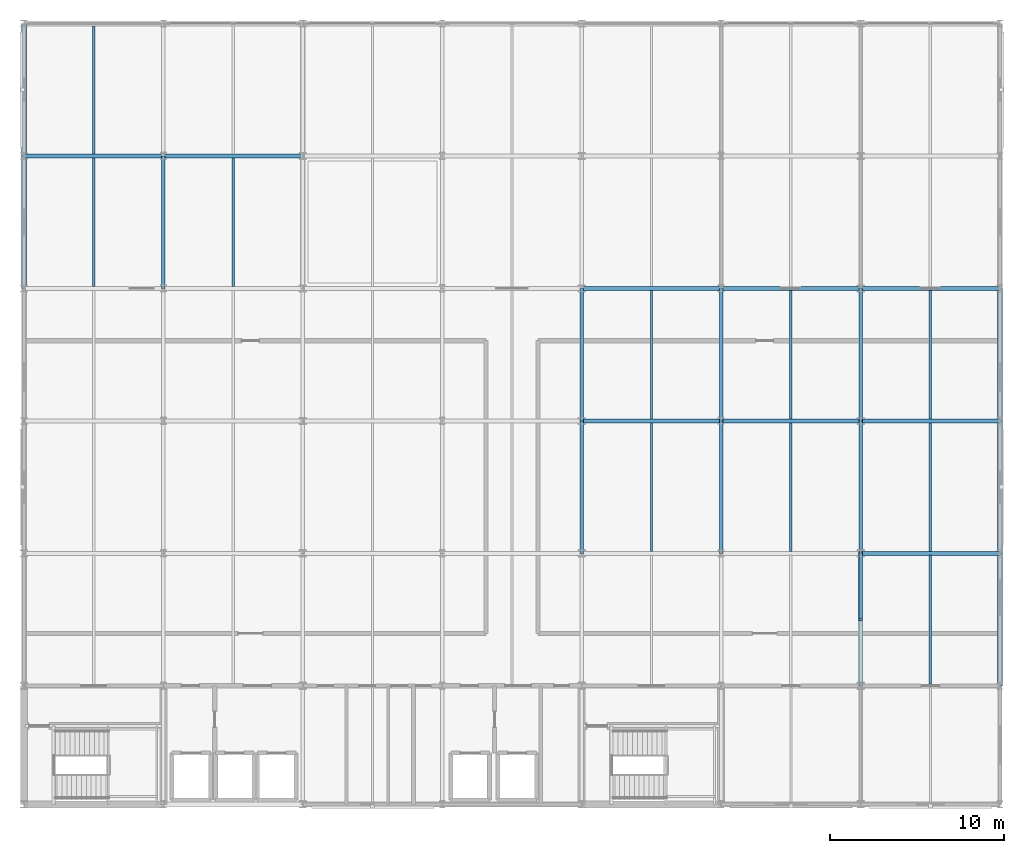
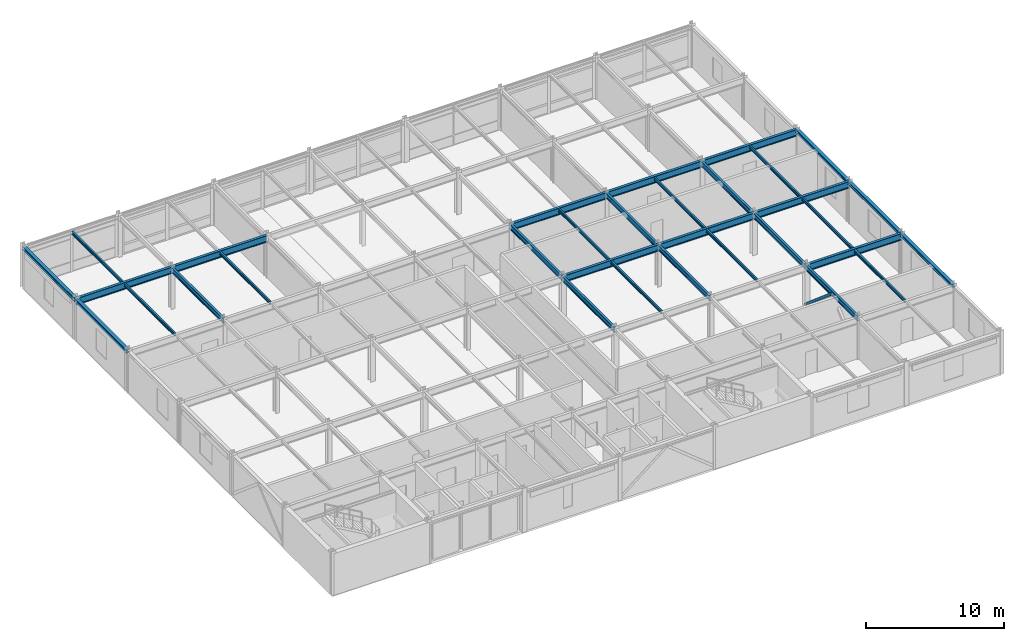
# One storey, part 5 of 14: 32 beams, 1 member.
"""IFC4 building model written with IfcOpenShell, lengths in metres."""

from ifc_helpers import new_model, si_unit, direction, frame, origin, origin_2d, place, context, subcontext, project, spatial, hollow_rectangle, i_section, extrude, material, material_profile, profile_set, type_object, element, save


model = new_model("IFC4")

# Units and contexts
model_context = context("Model", 3, precision=1e-05, world=origin(), true_north=direction((0.0, 1.0)))
body_context = subcontext(model_context, "Body", "Model", "MODEL_VIEW")
ifc_project = project(units=[si_unit("LENGTHUNIT", "METRE"), si_unit("AREAUNIT", "SQUARE_METRE"), si_unit("VOLUMEUNIT", "CUBIC_METRE"), si_unit("PLANEANGLEUNIT", "RADIAN"), si_unit("MASSUNIT", "GRAM", prefix="KILO")], contexts=[model_context])

# Site, building, storey
site_placement = place(None, origin())
site = spatial("IfcSite", under=ifc_project, at=site_placement, CompositionType="ELEMENT")
building_placement = place(site_placement, origin())
building = spatial("IfcBuilding", under=site, at=building_placement, Name="Shalkamar Park Central Library", CompositionType="ELEMENT")
storey_placement = place(building_placement, frame((0.0, 0.0, 32.10009765625)))
storey = spatial("IfcBuildingStorey", under=building, at=storey_placement, Name="L08", CompositionType="ELEMENT", Elevation=32.10009765625)

# Beams
ifc_material = material(Name="Steel S355", Category="steel")
ifc_material_profile_1 = material_profile(ifc_material, i_section(OverallWidth=0.135009765625, OverallDepth=0.27001953125, WebThickness=0.006591796875, FlangeThickness=0.01025390625, FilletRadius=0.014892578125, at=origin_2d()), Name="IPE 270")
ifc_profile_set_1 = profile_set([ifc_material_profile_1], Name="Steel S355")
beam_type_1 = type_object("IfcBeamType", Name="Composite Floor Joist IPE270", PredefinedType="JOIST", material=ifc_profile_set_1)
beam_1_placement = place(storey_placement, frame((169.0, 278.10791015625, 3.544921875), z_axis=(0.0, 1.0, 0.0), x_axis=(-1.0, 0.0, 0.0)))
element("IfcBeam", 1, at=beam_1_placement, inside=storey, type_object=beam_type_1, Name="Composite Joist 07/F-1 (L08)", PredefinedType="JOIST", context=body_context, shape_type="SweptSolid", body=[
    extrude(i_section(OverallWidth=0.135009765625, OverallDepth=0.27001953125, WebThickness=0.006591796875, FlangeThickness=0.01025390625, FilletRadius=0.014892578125, at=origin_2d()), origin(), (0.0, 0.0, 1.0), 7.384033203125),
])
beam_2_placement = place(storey_placement, frame((169.0, 285.7080078125, 3.544921875), z_axis=(0.0, 1.0, 0.0), x_axis=(-1.0, 0.0, 0.0)))
element("IfcBeam", 2, at=beam_2_placement, inside=storey, type_object=beam_type_1, Name="Composite Joist 07/G-1 (L08)", PredefinedType="JOIST", context=body_context, shape_type="SweptSolid", body=[
    extrude(i_section(OverallWidth=0.135009765625, OverallDepth=0.27001953125, WebThickness=0.006591796875, FlangeThickness=0.01025390625, FilletRadius=0.014892578125, at=origin_2d()), origin(), (0.0, 0.0, 1.0), 7.343994140625),
])
for number, where, z_axis, x_axis, name in (
    (3, (177.0, 278.10791015625, 3.544921875), (0.0, 1.0, 0.0), (-1.0, 0.0, 0.0), "Composite Joist 08/F-1 (L08)"),
    (4, (201.0, 262.907958984375, 3.544921875), (0.0, 1.0, 0.0), (-1.0, 0.0, 0.0), "Composite Joist 11/D-1 (L08)"),
    (5, (201.0, 270.508056640625, 3.544921875), (0.0, 1.0, 0.0), (-1.0, 0.0, 0.0), "Composite Joist 11/E-1 (L08)"),
    (6, (209.0, 262.907958984375, 3.544921875), (0.0, 1.0, 0.0), (-1.0, 0.0, 0.0), "Composite Joist 12/D-1 (L08)"),
    (7, (209.0, 270.508056640625, 3.544921875), (0.0, 1.0, 0.0), (-1.0, 0.0, 0.0), "Composite Joist 12/E-1 (L08)"),
):
    element("IfcBeam", number, at=place(storey_placement, frame(where, z_axis=z_axis, x_axis=x_axis)), inside=storey, type_object=beam_type_1, Name=name, PredefinedType="JOIST", context=body_context, shape_type="SweptSolid", body=[
        extrude(i_section(OverallWidth=0.135009765625, OverallDepth=0.27001953125, WebThickness=0.006591796875, FlangeThickness=0.01025390625, FilletRadius=0.014892578125, at=origin_2d()), origin(), (0.0, 0.0, 1.0), 7.384033203125),
    ])
beam_3_placement = place(storey_placement, frame((217.0, 255.30810546875, 3.544921875), z_axis=(0.0, 1.0, 0.0), x_axis=(-1.0, 0.0, 0.0)))
element("IfcBeam", 8, at=beam_3_placement, inside=storey, type_object=beam_type_1, Name="Composite Joist 13/C-1 (L08)", PredefinedType="JOIST", context=body_context, shape_type="SweptSolid", body=[
    extrude(i_section(OverallWidth=0.135009765625, OverallDepth=0.27001953125, WebThickness=0.006591796875, FlangeThickness=0.01025390625, FilletRadius=0.014892578125, at=origin_2d()), origin(), (0.0, 0.0, 1.0), 7.3837890625),
])
for number, where, z_axis, x_axis, name in (
    (9, (217.0, 262.907958984375, 3.544921875), (0.0, 1.0, 0.0), (-1.0, 0.0, 0.0), "Composite Joist 13/D-1 (L08)"),
    (10, (217.0, 270.508056640625, 3.544921875), (0.0, 1.0, 0.0), (-1.0, 0.0, 0.0), "Composite Joist 13/E-1 (L08)"),
):
    element("IfcBeam", number, at=place(storey_placement, frame(where, z_axis=z_axis, x_axis=x_axis)), inside=storey, type_object=beam_type_1, Name=name, PredefinedType="JOIST", context=body_context, shape_type="SweptSolid", body=[
        extrude(i_section(OverallWidth=0.135009765625, OverallDepth=0.27001953125, WebThickness=0.006591796875, FlangeThickness=0.01025390625, FilletRadius=0.014892578125, at=origin_2d()), origin(), (0.0, 0.0, 1.0), 7.384033203125),
    ])

# Member
ifc_material_profile_2 = material_profile(ifc_material, hollow_rectangle(XDim=0.219970703125, YDim=0.219970703125, WallThickness=0.010009765625, InnerFilletRadius=0.010009765625, OuterFilletRadius=0.014892578125, at=origin_2d()), Name="SHS 220x220x10")
ifc_profile_set_2 = profile_set([ifc_material_profile_2], Name="Steel S355")
member_type = type_object("IfcMemberType", Name="Diagonal Brace SHS220", PredefinedType="BRACE", material=ifc_profile_set_2)
member_placement = place(storey_placement, frame((213.0, 262.800048828125, 0.14990234375), z_axis=(0.0, -0.761945356857, 0.647641315208), x_axis=(1.0, 0.0, 0.0)))
element("IfcMember", 11, at=member_placement, inside=storey, type_object=member_type, Name="Chevron Brace TW-E Leg B (L08)", PredefinedType="BRACE", context=body_context, shape_type="SweptSolid", body=[
    extrude(hollow_rectangle(XDim=0.219970703125, YDim=0.219970703125, WallThickness=0.010009765625, InnerFilletRadius=0.010009765625, OuterFilletRadius=0.014892578125, at=origin_2d()), origin(), (0.0, 0.0, 1.0), 4.9873046875),
])

# Beams
ifc_material_profile_3 = material_profile(ifc_material, i_section(OverallWidth=0.280029296875, OverallDepth=0.27001953125, WebThickness=0.008056640625, FlangeThickness=0.012939453125, FilletRadius=0.02392578125, at=origin_2d()), Name="HEA 280")
ifc_profile_set_3 = profile_set([ifc_material_profile_3], Name="Steel S355")
beam_type_2 = type_object("IfcBeamType", Name="Perimeter Spandrel Beam HEA280", PredefinedType="SPANDREL", material=ifc_profile_set_3)
beam_4_placement = place(storey_placement, frame((165.0, 278.0, 3.544921875), z_axis=(0.0, 1.0, 0.0), x_axis=(-1.0, 0.0, 0.0)))
element("IfcBeam", 12, at=beam_4_placement, inside=storey, type_object=beam_type_2, Name="Beam 07:F-G (L08)", PredefinedType="SPANDREL", context=body_context, shape_type="SweptSolid", body=[
    extrude(i_section(OverallWidth=0.280029296875, OverallDepth=0.27001953125, WebThickness=0.008056640625, FlangeThickness=0.012939453125, FilletRadius=0.02392578125, at=origin_2d()), origin(), (0.0, 0.0, 1.0), 7.60009765625),
])
beam_5_placement = place(storey_placement, frame((165.0, 285.60009765625, 3.544921875), z_axis=(0.0, 1.0, 0.0), x_axis=(-1.0, 0.0, 0.0)))
element("IfcBeam", 13, at=beam_5_placement, inside=storey, type_object=beam_type_2, Name="Beam 07:G-H (L08)", PredefinedType="SPANDREL", context=body_context, shape_type="SweptSolid", body=[
    extrude(i_section(OverallWidth=0.280029296875, OverallDepth=0.27001953125, WebThickness=0.008056640625, FlangeThickness=0.012939453125, FilletRadius=0.02392578125, at=origin_2d()), origin(), (0.0, 0.0, 1.0), 7.599853515625),
])
beam_6_placement = place(storey_placement, frame((221.0, 255.199951171875, 3.544921875), z_axis=(0.0, 1.0, 0.0), x_axis=(-1.0, 0.0, 0.0)))
element("IfcBeam", 14, at=beam_6_placement, inside=storey, type_object=beam_type_2, Name="Beam 14:C-D (L08)", PredefinedType="SPANDREL", context=body_context, shape_type="SweptSolid", body=[
    extrude(i_section(OverallWidth=0.280029296875, OverallDepth=0.27001953125, WebThickness=0.008056640625, FlangeThickness=0.012939453125, FilletRadius=0.02392578125, at=origin_2d()), origin(), (0.0, 0.0, 1.0), 7.60009765625),
])
beam_7_placement = place(storey_placement, frame((221.0, 262.800048828125, 3.544921875), z_axis=(0.0, 1.0, 0.0), x_axis=(-1.0, 0.0, 0.0)))
element("IfcBeam", 15, at=beam_7_placement, inside=storey, type_object=beam_type_2, Name="Beam 14:D-E (L08)", PredefinedType="SPANDREL", context=body_context, shape_type="SweptSolid", body=[
    extrude(i_section(OverallWidth=0.280029296875, OverallDepth=0.27001953125, WebThickness=0.008056640625, FlangeThickness=0.012939453125, FilletRadius=0.02392578125, at=origin_2d()), origin(), (0.0, 0.0, 1.0), 7.599853515625),
])
beam_8_placement = place(storey_placement, frame((221.0, 270.39990234375, 3.544921875), z_axis=(0.0, 1.0, 0.0), x_axis=(-1.0, 0.0, 0.0)))
element("IfcBeam", 16, at=beam_8_placement, inside=storey, type_object=beam_type_2, Name="Beam 14:E-F (L08)", PredefinedType="SPANDREL", context=body_context, shape_type="SweptSolid", body=[
    extrude(i_section(OverallWidth=0.280029296875, OverallDepth=0.27001953125, WebThickness=0.008056640625, FlangeThickness=0.012939453125, FilletRadius=0.02392578125, at=origin_2d()), origin(), (0.0, 0.0, 1.0), 7.60009765625),
])
ifc_material_profile_4 = material_profile(ifc_material, i_section(OverallWidth=0.18994140625, OverallDepth=0.449951171875, WebThickness=0.009521484375, FlangeThickness=0.0146484375, FilletRadius=0.02099609375, at=origin_2d()), Name="IPE 450")
ifc_profile_set_4 = profile_set([ifc_material_profile_4], Name="Steel S355")
beam_type_3 = type_object("IfcBeamType", Name="Primary Girder IPE450", PredefinedType="BEAM", material=ifc_profile_set_4)
beam_9_placement = place(storey_placement, frame((173.0, 278.0, 3.454833984375), z_axis=(0.0, 1.0, 0.0), x_axis=(-1.0, 0.0, 0.0)))
element("IfcBeam", 17, at=beam_9_placement, inside=storey, type_object=beam_type_3, Name="Beam 08:F-G (L08)", PredefinedType="BEAM", context=body_context, shape_type="SweptSolid", body=[
    extrude(i_section(OverallWidth=0.18994140625, OverallDepth=0.449951171875, WebThickness=0.009521484375, FlangeThickness=0.0146484375, FilletRadius=0.02099609375, at=origin_2d()), origin(), (0.0, 0.0, 1.0), 7.60009765625),
])
beam_10_placement = place(storey_placement, frame((197.0, 262.800048828125, 3.454833984375), z_axis=(0.0, 1.0, 0.0), x_axis=(-1.0, 0.0, 0.0)))
element("IfcBeam", 18, at=beam_10_placement, inside=storey, type_object=beam_type_3, Name="Beam 11:D-E (L08)", PredefinedType="BEAM", context=body_context, shape_type="SweptSolid", body=[
    extrude(i_section(OverallWidth=0.18994140625, OverallDepth=0.449951171875, WebThickness=0.009521484375, FlangeThickness=0.0146484375, FilletRadius=0.02099609375, at=origin_2d()), origin(), (0.0, 0.0, 1.0), 7.599853515625),
])
beam_11_placement = place(storey_placement, frame((197.0, 270.39990234375, 3.454833984375), z_axis=(0.0, 1.0, 0.0), x_axis=(-1.0, 0.0, 0.0)))
element("IfcBeam", 19, at=beam_11_placement, inside=storey, type_object=beam_type_3, Name="Beam 11:E-F (L08)", PredefinedType="BEAM", context=body_context, shape_type="SweptSolid", body=[
    extrude(i_section(OverallWidth=0.18994140625, OverallDepth=0.449951171875, WebThickness=0.009521484375, FlangeThickness=0.0146484375, FilletRadius=0.02099609375, at=origin_2d()), origin(), (0.0, 0.0, 1.0), 7.60009765625),
])
beam_12_placement = place(storey_placement, frame((205.0, 262.800048828125, 3.454833984375), z_axis=(0.0, 1.0, 0.0), x_axis=(-1.0, 0.0, 0.0)))
element("IfcBeam", 20, at=beam_12_placement, inside=storey, type_object=beam_type_3, Name="Beam 12:D-E (L08)", PredefinedType="BEAM", context=body_context, shape_type="SweptSolid", body=[
    extrude(i_section(OverallWidth=0.18994140625, OverallDepth=0.449951171875, WebThickness=0.009521484375, FlangeThickness=0.0146484375, FilletRadius=0.02099609375, at=origin_2d()), origin(), (0.0, 0.0, 1.0), 7.599853515625),
])
for number, where, z_axis, x_axis, name in (
    (21, (205.0, 270.39990234375, 3.454833984375), (0.0, 1.0, 0.0), (-1.0, 0.0, 0.0), "Beam 12:E-F (L08)"),
    (22, (213.0, 255.199951171875, 3.454833984375), (0.0, 1.0, 0.0), (-1.0, 0.0, 0.0), "Beam 13:C-D (L08)"),
):
    element("IfcBeam", number, at=place(storey_placement, frame(where, z_axis=z_axis, x_axis=x_axis)), inside=storey, type_object=beam_type_3, Name=name, PredefinedType="BEAM", context=body_context, shape_type="SweptSolid", body=[
        extrude(i_section(OverallWidth=0.18994140625, OverallDepth=0.449951171875, WebThickness=0.009521484375, FlangeThickness=0.0146484375, FilletRadius=0.02099609375, at=origin_2d()), origin(), (0.0, 0.0, 1.0), 7.60009765625),
    ])
beam_13_placement = place(storey_placement, frame((213.0, 262.800048828125, 3.454833984375), z_axis=(0.0, 1.0, 0.0), x_axis=(-1.0, 0.0, 0.0)))
element("IfcBeam", 23, at=beam_13_placement, inside=storey, type_object=beam_type_3, Name="Beam 13:D-E (L08)", PredefinedType="BEAM", context=body_context, shape_type="SweptSolid", body=[
    extrude(i_section(OverallWidth=0.18994140625, OverallDepth=0.449951171875, WebThickness=0.009521484375, FlangeThickness=0.0146484375, FilletRadius=0.02099609375, at=origin_2d()), origin(), (0.0, 0.0, 1.0), 7.599853515625),
])
beam_14_placement = place(storey_placement, frame((213.0, 270.39990234375, 3.454833984375), z_axis=(0.0, 1.0, 0.0), x_axis=(-1.0, 0.0, 0.0)))
element("IfcBeam", 24, at=beam_14_placement, inside=storey, type_object=beam_type_3, Name="Beam 13:E-F (L08)", PredefinedType="BEAM", context=body_context, shape_type="SweptSolid", body=[
    extrude(i_section(OverallWidth=0.18994140625, OverallDepth=0.449951171875, WebThickness=0.009521484375, FlangeThickness=0.0146484375, FilletRadius=0.02099609375, at=origin_2d()), origin(), (0.0, 0.0, 1.0), 7.60009765625),
])
ifc_material_profile_5 = material_profile(ifc_material, i_section(OverallWidth=0.219970703125, OverallDepth=0.60009765625, WebThickness=0.011962890625, FlangeThickness=0.01904296875, FilletRadius=0.02392578125, at=origin_2d()), Name="IPE 600")
ifc_profile_set_5 = profile_set([ifc_material_profile_5], Name="Steel S355")
beam_type_4 = type_object("IfcBeamType", Name="Primary Girder IPE600", PredefinedType="BEAM", material=ifc_profile_set_5)
for number, where, z_axis, x_axis, name in (
    (25, (213.0, 262.800048828125, 3.3798828125), (1.0, 0.0, 0.0), (0.0, 1.0, 0.0), "Beam D:13-14 (L08)"),
    (26, (197.0, 270.39990234375, 3.3798828125), (1.0, 0.0, 0.0), (0.0, 1.0, 0.0), "Beam E:11-12 (L08)"),
    (27, (205.0, 270.39990234375, 3.3798828125), (1.0, 0.0, 0.0), (0.0, 1.0, 0.0), "Beam E:12-13 (L08)"),
    (28, (213.0, 270.39990234375, 3.3798828125), (1.0, 0.0, 0.0), (0.0, 1.0, 0.0), "Beam E:13-14 (L08)"),
    (29, (197.0, 278.0, 3.3798828125), (1.0, 0.0, 0.0), (0.0, 1.0, 0.0), "Beam F:11-12 (L08)"),
    (30, (205.0, 278.0, 3.3798828125), (1.0, 0.0, 0.0), (0.0, 1.0, 0.0), "Beam F:12-13 (L08)"),
    (31, (213.0, 278.0, 3.3798828125), (1.0, 0.0, 0.0), (0.0, 1.0, 0.0), "Beam F:13-14 (L08)"),
    (32, (165.0, 285.60009765625, 3.3798828125), (1.0, 0.0, 0.0), (0.0, 1.0, 0.0), "Beam G:07-08 (L08)"),
    (33, (173.0, 285.60009765625, 3.3798828125), (1.0, 0.0, 0.0), (0.0, 1.0, 0.0), "Beam G:08-09 (L08)"),
):
    element("IfcBeam", number, at=place(storey_placement, frame(where, z_axis=z_axis, x_axis=x_axis)), inside=storey, type_object=beam_type_4, Name=name, PredefinedType="BEAM", context=body_context, shape_type="SweptSolid", body=[
        extrude(i_section(OverallWidth=0.219970703125, OverallDepth=0.60009765625, WebThickness=0.011962890625, FlangeThickness=0.01904296875, FilletRadius=0.02392578125, at=origin_2d()), origin(), (0.0, 0.0, 1.0), 8.0),
    ])

save(model, "model.ifc")
